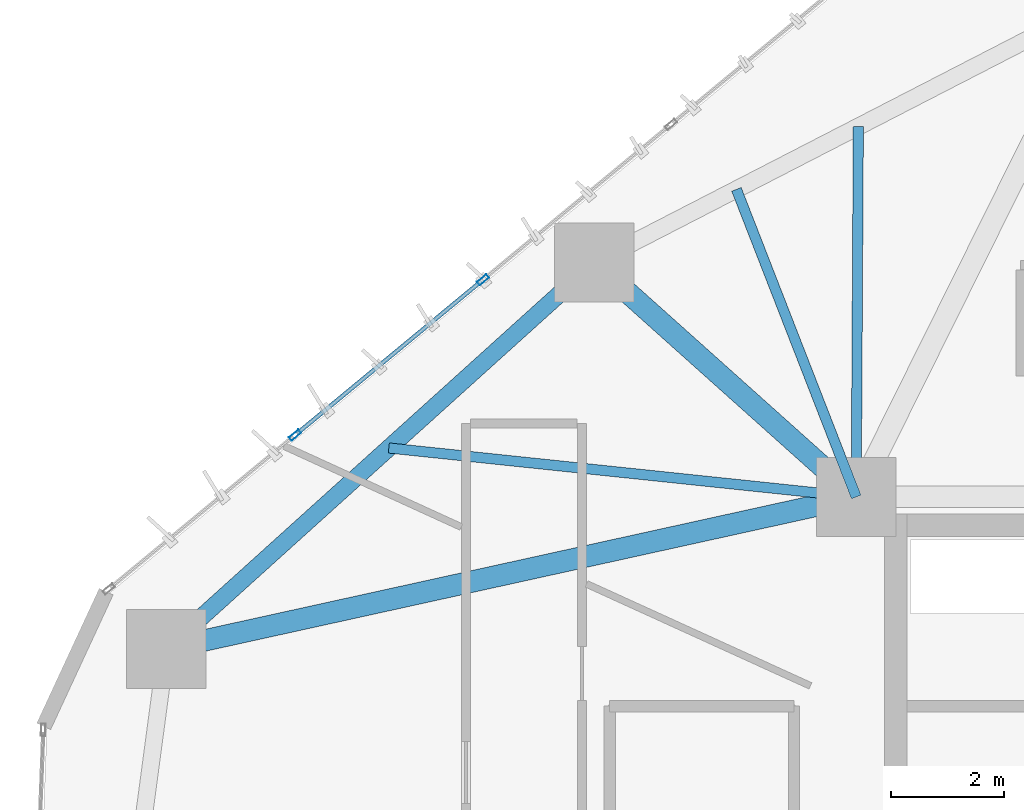
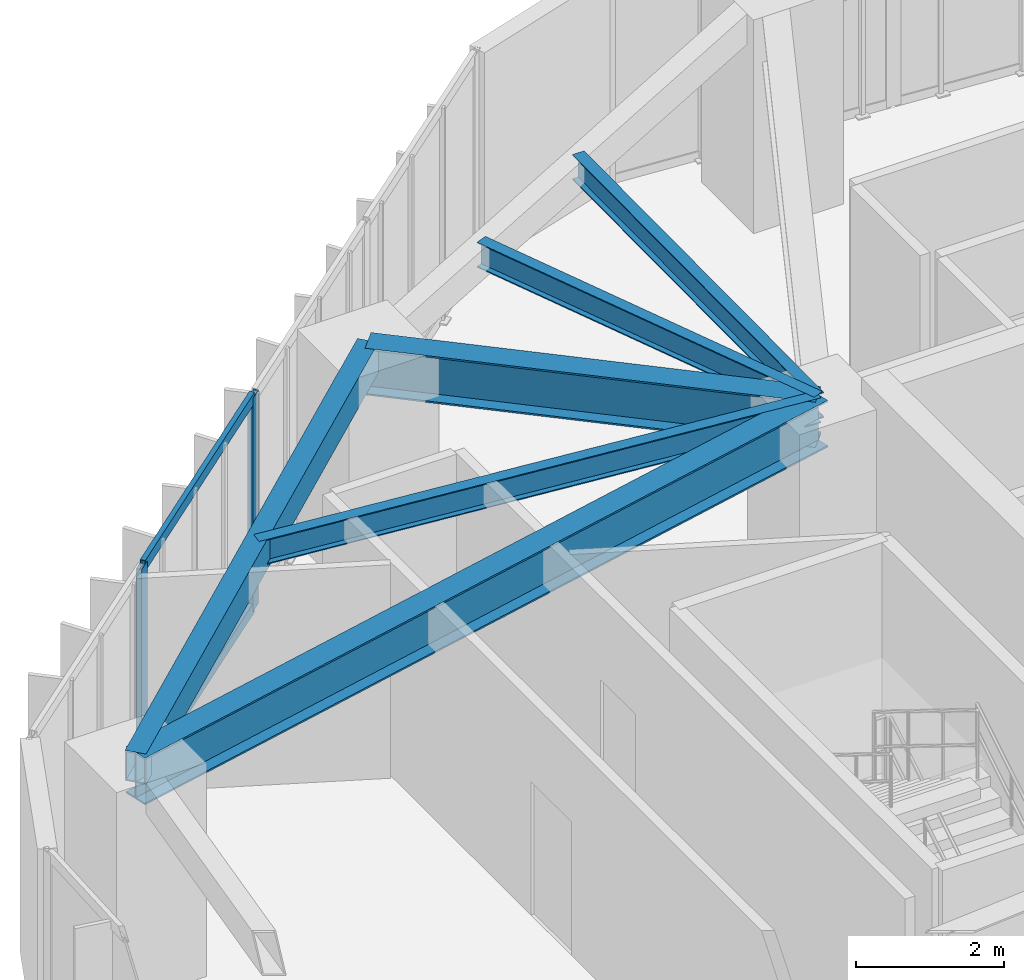
# One storey, part 8 of 23: 6 beams, 4 members, 1 element without a shape of its own.
"""IFC4 building model written with IfcOpenShell, lengths in metres."""

from ifc_helpers import new_model, si_unit, direction, frame, origin, origin_2d, place, context, subcontext, project, spatial, hollow_rectangle, i_section, extrude, source, transform, mapped, material, layer, layer_set, material_profile, profile_set, type_object, type_shapes, element, aggregate, save


model = new_model("IFC4")

# Units and contexts
model_context = context("Model", 3, precision=1e-05, world=origin(), true_north=direction((0.0, 1.0)))
body_context = subcontext(model_context, "Body", "Model", "MODEL_VIEW")
ifc_project = project(units=[si_unit("LENGTHUNIT", "METRE"), si_unit("AREAUNIT", "SQUARE_METRE"), si_unit("VOLUMEUNIT", "CUBIC_METRE"), si_unit("PLANEANGLEUNIT", "RADIAN"), si_unit("MASSUNIT", "GRAM", prefix="KILO")], contexts=[model_context])

# Site, building, storey
site_placement = place(None, origin())
site = spatial("IfcSite", under=ifc_project, at=site_placement, CompositionType="ELEMENT")
building_placement = place(site_placement, origin())
building = spatial("IfcBuilding", under=site, at=building_placement, Name="Talar Marvaseh", CompositionType="ELEMENT")
storey_placement = place(building_placement, frame((0.0, 0.0, 77.199951171875)))
storey = spatial("IfcBuildingStorey", under=building, at=storey_placement, Name="L19", CompositionType="ELEMENT", Elevation=77.199951171875)

# Beams
ifc_material_1 = material(Name="Steel S355", Category="steel")
ifc_material_profile_1 = material_profile(ifc_material_1, hollow_rectangle(XDim=0.300048828125, YDim=0.5, WallThickness=0.02001953125, at=origin_2d()), Name="RHS500x300x20")
ifc_profile_set_1 = profile_set([ifc_material_profile_1], Name="Steel S355")
beam_type_1 = type_object("IfcBeamType", Name="Zone 1 Perimeter Spandrel Beam RHS500x300x20", PredefinedType="SPANDREL", material=ifc_profile_set_1)
beam_1_placement = place(storey_placement, frame((6.501953125, 34.214111328125, 3.27001953125), z_axis=(0.742394279812, 0.669963232799, 0.0), x_axis=(-0.669963232799, 0.742394279812, 0.0)))
element("IfcBeam", 1, at=beam_1_placement, inside=storey, type_object=beam_type_1, Name="L19 Zone 1 Perimeter Spandrel Beam RHS500x300x20", PredefinedType="SPANDREL", context=body_context, shape_type="SweptSolid", body=[
    extrude(hollow_rectangle(XDim=0.300048828125, YDim=0.5, WallThickness=0.02001953125, at=origin_2d()), origin(), (0.0, 0.0, 1.0), 10.19287109375),
])
ifc_material_profile_2 = material_profile(ifc_material_1, i_section(OverallWidth=0.381103515625, OverallDepth=0.77294921875, WebThickness=0.0166015625, FlangeThickness=0.027099609375, at=origin_2d()), Name="W760x257")
ifc_profile_set_2 = profile_set([ifc_material_profile_2], Name="Steel S355")
beam_type_2 = type_object("IfcBeamType", Name="Zone 1 Radial Floor Girder W760x257", PredefinedType="BEAM", material=ifc_profile_set_2)
beam_2_placement = place(storey_placement, frame((6.501953125, 34.214111328125, 3.133544921875), z_axis=(0.976606962034, 0.215032187606, 0.0), x_axis=(-0.215032187606, 0.976606962034, 0.0)))
element("IfcBeam", 2, at=beam_2_placement, inside=storey, type_object=beam_type_2, Name="L19 Zone 1 Radial Floor Girder W760x257", PredefinedType="BEAM", context=body_context, shape_type="SweptSolid", body=[
    extrude(i_section(OverallWidth=0.381103515625, OverallDepth=0.77294921875, WebThickness=0.0166015625, FlangeThickness=0.027099609375, at=origin_2d()), origin(), (0.0, 0.0, 1.0), 12.490234375),
])
beam_3_placement = place(storey_placement, frame((14.069091796875, 41.04296875, 3.133544921875), z_axis=(0.745268030676, -0.666764997921, 0.0), x_axis=(0.666764997921, 0.745268030676, 0.0)))
element("IfcBeam", 3, at=beam_3_placement, inside=storey, type_object=beam_type_2, Name="L19 Zone 1 Radial Floor Girder W760x257", PredefinedType="BEAM", context=body_context, shape_type="SweptSolid", body=[
    extrude(i_section(OverallWidth=0.381103515625, OverallDepth=0.77294921875, WebThickness=0.0166015625, FlangeThickness=0.027099609375, at=origin_2d()), origin(), (0.0, 0.0, 1.0), 6.213623046875),
])
ifc_material_profile_3 = material_profile(ifc_material_1, i_section(OverallWidth=0.179931640625, OverallDepth=0.4130859375, WebThickness=0.009765625, FlangeThickness=0.01611328125, at=origin_2d()), Name="W410x75")
ifc_profile_set_3 = profile_set([ifc_material_profile_3], Name="Steel S355")
beam_type_3 = type_object("IfcBeamType", Name="Zone 1 Secondary Floor Joist W410x75", PredefinedType="JOIST", material=ifc_profile_set_3)
beam_4_placement = place(storey_placement, frame((10.436767578125, 37.76513671875, 3.3134765625), z_axis=(0.994562624593, -0.104140221638, 0.0), x_axis=(0.104140221638, 0.994562624593, 0.0)))
element("IfcBeam", 4, at=beam_4_placement, inside=storey, type_object=beam_type_3, Name="L19 Zone 1 Secondary Floor Joist W410x75", PredefinedType="JOIST", context=body_context, shape_type="SweptSolid", body=[
    extrude(i_section(OverallWidth=0.179931640625, OverallDepth=0.4130859375, WebThickness=0.009765625, FlangeThickness=0.01611328125, at=origin_2d()), origin(), (0.0, 0.0, 1.0), 8.308349609375),
])
beam_5_placement = place(storey_placement, frame((16.582763671875, 42.337646484375, 3.3134765625), z_axis=(0.362819746189, -0.931859341197, 0.0), x_axis=(0.931859341197, 0.362819746189, 0.0)))
element("IfcBeam", 5, at=beam_5_placement, inside=storey, type_object=beam_type_3, Name="L19 Zone 1 Secondary Floor Joist W410x75", PredefinedType="JOIST", context=body_context, shape_type="SweptSolid", body=[
    extrude(i_section(OverallWidth=0.179931640625, OverallDepth=0.4130859375, WebThickness=0.009765625, FlangeThickness=0.01611328125, at=origin_2d()), origin(), (0.0, 0.0, 1.0), 5.83544921875),
])
beam_6_placement = place(storey_placement, frame((18.737548828125, 43.447509765625, 3.3134765625), z_axis=(-0.00574210303, -0.999983513991, 0.0), x_axis=(0.999983513991, -0.00574210303, 0.0)))
element("IfcBeam", 6, at=beam_6_placement, inside=storey, type_object=beam_type_3, Name="L19 Zone 1 Secondary Floor Joist W410x75", PredefinedType="JOIST", context=body_context, shape_type="SweptSolid", body=[
    extrude(i_section(OverallWidth=0.179931640625, OverallDepth=0.4130859375, WebThickness=0.009765625, FlangeThickness=0.01611328125, at=origin_2d()), origin(), (0.0, 0.0, 1.0), 6.547607421875),
])

# Curtain wall, members
ifc_material_2 = material(Name="Architectural Aluminium", Category="aluminium")
ifc_layer = layer(ifc_material_2, 0.219970703125)
ifc_layer_set = layer_set([ifc_layer], Name="Architectural Aluminium")
curtain_wall_type = type_object("IfcCurtainWallType", Name="Unitised Low-E Museum Curtain Wall Z1", PredefinedType="NOTDEFINED", material=ifc_layer_set)
curtain_wall_placement = place(storey_placement, origin())
curtain_wall = element("IfcCurtainWall", 7, at=curtain_wall_placement, inside=storey, type_object=curtain_wall_type, Name="L19 Unitised Low-E Museum Curtain Wall Z1", PredefinedType="NOTDEFINED")
ifc_material_profile_4 = material_profile(ifc_material_2, hollow_rectangle(XDim=0.080078125, YDim=0.219970703125, WallThickness=0.0048828125, at=origin_2d()), Name="RHS220x80x5")
ifc_profile_set_4 = profile_set([ifc_material_profile_4], Name="Architectural Aluminium")
member_type_1 = type_object("IfcMemberType", Name="Unitised Curtain Wall Heavy Mullion RHS220x80x5", PredefinedType="MULLION", material=ifc_profile_set_4)
shared_shape_1 = source(origin(), body_context, "Body", "SweptSolid", [
    extrude(hollow_rectangle(XDim=0.080078125, YDim=0.219970703125, WallThickness=0.0048828125, at=origin_2d()), origin(), (0.0, 0.0, 1.0), 3.52001953125),
])
type_shapes(member_type_1, [shared_shape_1])
member_1_placement = place(storey_placement, frame((8.779296875, 37.992919921875, 0.0), z_axis=(0.0, 0.0, 1.0), x_axis=(-0.636994414935, 0.77086841636, 0.0)))
member_1 = element("IfcMember", 8, at=member_1_placement, type_object=member_type_1, Name="CW-Z1 mullion 2", PredefinedType="MULLION", context=body_context, shape_type="MappedRepresentation", body=[
    mapped(shared_shape_1, transform((0.0, 0.0, 0.0), x_axis=(1.0, 0.0, 0.0), y_axis=(0.0, 1.0, 0.0), z_axis=(0.0, 0.0, 1.0), scale=1.0)),
])
member_2_placement = place(storey_placement, frame((12.10302734375, 40.739501953125, 0.0), z_axis=(0.0, 0.0, 1.0), x_axis=(-0.636994414935, 0.77086841636, 0.0)))
member_2 = element("IfcMember", 9, at=member_2_placement, type_object=member_type_1, Name="CW-Z1 mullion 3", PredefinedType="MULLION", context=body_context, shape_type="MappedRepresentation", body=[
    mapped(shared_shape_1, transform((0.0, 0.0, 0.0), x_axis=(1.0, 0.0, 0.0), y_axis=(0.0, 1.0, 0.0), z_axis=(0.0, 0.0, 1.0), scale=1.0)),
])
ifc_material_profile_5 = material_profile(ifc_material_2, hollow_rectangle(XDim=0.074951171875, YDim=0.179931640625, WallThickness=0.0048828125, at=origin_2d()), Name="RHS180x75x5")
ifc_profile_set_5 = profile_set([ifc_material_profile_5], Name="Architectural Aluminium")
member_type_2 = type_object("IfcMemberType", Name="Unitised Curtain Wall Transom RHS180x75x5", PredefinedType="USERDEFINED", material=ifc_profile_set_5)
shared_shape_2 = source(origin(), body_context, "Body", "SweptSolid", [
    extrude(hollow_rectangle(XDim=0.074951171875, YDim=0.179931640625, WallThickness=0.0048828125, at=origin_2d()), origin(), (0.0, 0.0, 1.0), 4.23193359375),
])
type_shapes(member_type_2, [shared_shape_2])
member_3_placement = place(storey_placement, frame((8.81005859375, 38.018310546875, 0.03759765625), z_axis=(0.770853361107, 0.637012633838, 0.0), x_axis=(-0.637012633838, 0.770853361107, 0.0)))
member_3 = element("IfcMember", 10, at=member_3_placement, type_object=member_type_2, Name="CW-Z1 transom 2.1", ObjectType="TRANSOM", PredefinedType="USERDEFINED", context=body_context, shape_type="MappedRepresentation", body=[
    mapped(shared_shape_2, transform((0.0, 0.0, 0.0), x_axis=(1.0, 0.0, 0.0), y_axis=(0.0, 1.0, 0.0), z_axis=(0.0, 0.0, 1.0), scale=1.0)),
])
member_4_placement = place(storey_placement, frame((8.81005859375, 38.018310546875, 3.482666015625), z_axis=(0.770853361107, 0.637012633838, 0.0), x_axis=(-0.637012633838, 0.770853361107, 0.0)))
member_4 = element("IfcMember", 11, at=member_4_placement, type_object=member_type_2, Name="CW-Z1 transom 2.2", ObjectType="TRANSOM", PredefinedType="USERDEFINED", context=body_context, shape_type="MappedRepresentation", body=[
    mapped(shared_shape_2, transform((0.0, 0.0, 0.0), x_axis=(1.0, 0.0, 0.0), y_axis=(0.0, 1.0, 0.0), z_axis=(0.0, 0.0, 1.0), scale=1.0)),
])
aggregate(curtain_wall, [member_1, member_2, member_3, member_4])

save(model, "model.ifc")
